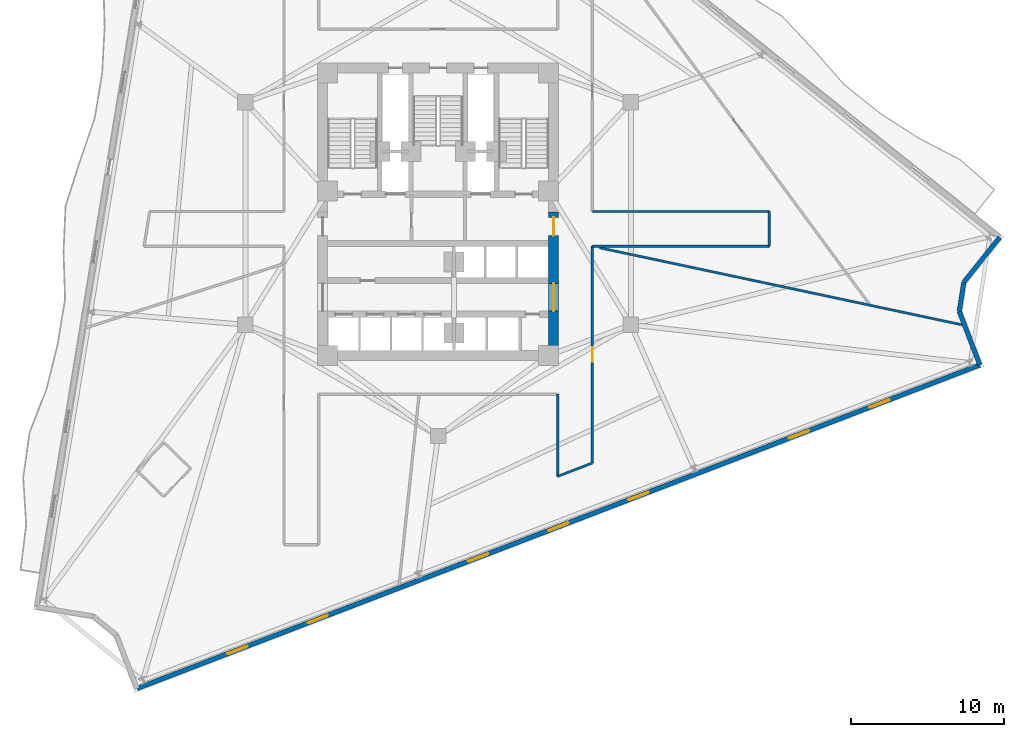
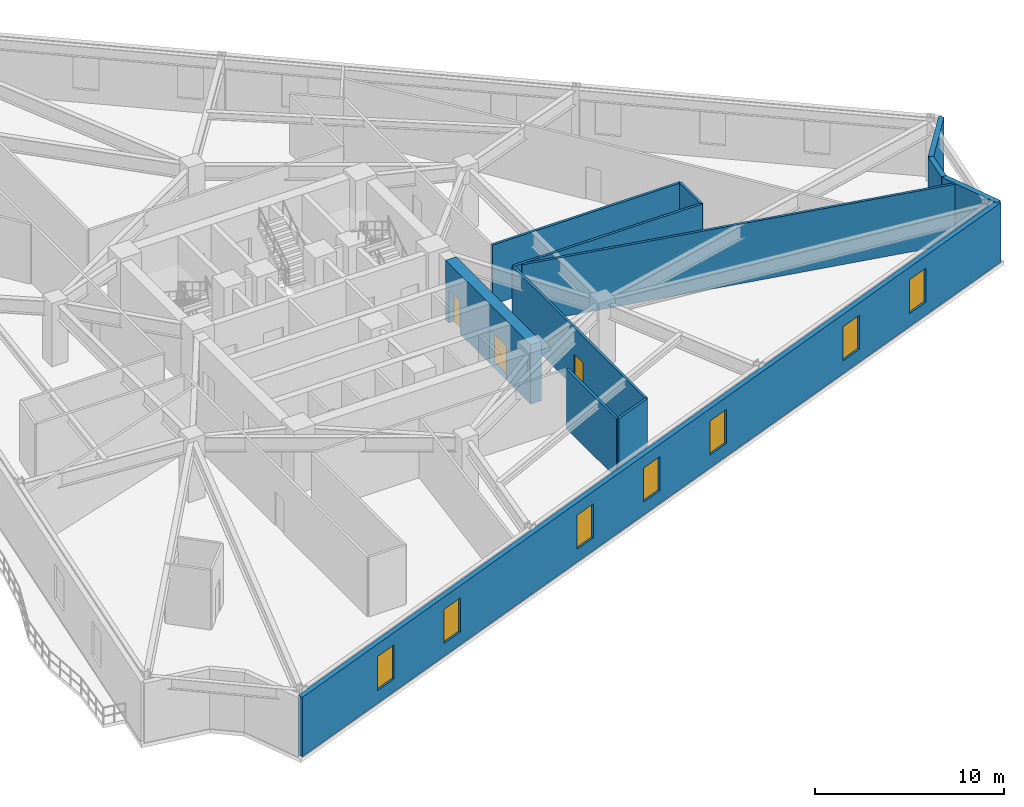
# One storey, part 5 of 10: 12 walls, 7 windows, 3 doors, 10 openings.
"""IFC4 building model written with IfcOpenShell, lengths in metres."""

from ifc_helpers import new_model, si_unit, direction, frame, frame_2d, origin, place, context, subcontext, project, spatial, rectangle, extrude, material, layer, layer_set, type_object, element, fill, save


model = new_model("IFC4")

# Units and contexts
model_context = context("Model", 3, precision=1e-05, world=origin(), true_north=direction((0.0, 1.0)))
body_context = subcontext(model_context, "Body", "Model", "MODEL_VIEW")
ifc_project = project(units=[si_unit("LENGTHUNIT", "METRE"), si_unit("AREAUNIT", "SQUARE_METRE"), si_unit("VOLUMEUNIT", "CUBIC_METRE"), si_unit("PLANEANGLEUNIT", "RADIAN"), si_unit("MASSUNIT", "GRAM", prefix="KILO")], contexts=[model_context])

# Site, building, storey
site_placement = place(None, origin())
site = spatial("IfcSite", under=ifc_project, at=site_placement, CompositionType="ELEMENT")
building_placement = place(site_placement, origin())
building = spatial("IfcBuilding", under=site, at=building_placement, Name="Apsidion Concourse Tower", CompositionType="ELEMENT")
storey_placement = place(building_placement, frame((0.0, 0.0, 152.699951171875)))
storey = spatial("IfcBuildingStorey", under=building, at=storey_placement, Name="L35", CompositionType="ELEMENT", Elevation=152.699951171875)

# Walls
ifc_material_1 = material(Name="Precast concrete C40/50", Category="concrete")
ifc_layer_1 = layer(ifc_material_1, 0.300048828125)
ifc_layer_set_1 = layer_set([ifc_layer_1], Name="Precast concrete C40/50")
wall_type_1 = type_object("IfcWallType", Name="WL-EXT-300", PredefinedType="STANDARD", material=ifc_layer_set_1)
wall_1_placement = place(storey_placement, frame((36.58984375, -1.556640625, 0.0), z_axis=(0.0, 0.0, 1.0), x_axis=(-0.62493402561, -0.780677567012, 0.0)))
element("IfcWall", 1, at=wall_1_placement, inside=storey, type_object=wall_type_1, Name="L35 Precast Stone Facade Wall 02", PredefinedType="STANDARD", context=body_context, shape_type="SweptSolid", body=[
    extrude(rectangle(XDim=3.737060546875, YDim=0.300048828125, at=frame_2d((1.86865234375, 0.0))), origin(), (0.0, 0.0, 1.0), 3.85009765625),
])
wall_2_placement = place(storey_placement, frame((34.25439453125, -4.47412109375, 0.0), z_axis=(0.0, 0.0, 1.0), x_axis=(-0.153717968475, -0.988114763663, 0.0)))
element("IfcWall", 2, at=wall_2_placement, inside=storey, type_object=wall_type_1, Name="L35 Precast Stone Facade Wall 03", PredefinedType="STANDARD", context=body_context, shape_type="SweptSolid", body=[
    extrude(rectangle(XDim=1.932861328125, YDim=0.300048828125, at=frame_2d((0.96630859375, 0.0))), origin(), (0.0, 0.0, 1.0), 3.85009765625),
])
wall_3_placement = place(storey_placement, frame((33.957275390625, -6.384033203125, 0.0), z_axis=(0.0, 0.0, 1.0), x_axis=(0.358344201462, -0.933589542186, 0.0)))
element("IfcWall", 3, at=wall_3_placement, inside=storey, type_object=wall_type_1, Name="L35 Precast Stone Facade Wall 04", PredefinedType="STANDARD", context=body_context, shape_type="SweptSolid", body=[
    extrude(rectangle(XDim=3.737060546875, YDim=0.300048828125, at=frame_2d((1.86865234375, 0.0))), origin(), (0.0, 0.0, 1.0), 3.85009765625),
])

# Wall, openings, windows
wall_4_placement = place(storey_placement, frame((35.29638671875, -9.872802734375, 0.0), z_axis=(0.0, 0.0, 1.0), x_axis=(-0.933580612554, -0.35836746485, 0.0)))
wall_4 = element("IfcWall", 4, at=wall_4_placement, inside=storey, type_object=wall_type_1, Name="L35 Precast Stone Facade Wall 05", PredefinedType="STANDARD", context=body_context, shape_type="SweptSolid", body=[
    extrude(rectangle(XDim=58.827880859375, YDim=0.300048828125, at=frame_2d((29.4140625, 0.0))), origin(), (0.0, 0.0, 1.0), 3.85009765625),
])
opening_1_placement = place(wall_4_placement, frame((6.31396484375, 0.0, 0.85009765625)))
opening_1 = element("IfcOpeningElement", 5, at=opening_1_placement, cuts=wall_4, Name="Opening WN-05", PredefinedType="OPENING", context=body_context, shape_type="SweptSolid", body=[
    extrude(rectangle(XDim=1.39990234375, YDim=2.199951171875, at=frame_2d((0.699951171875, 1.10009765625))), frame((0.0, 0.16015625, 0.0), z_axis=(0.0, -1.0, 0.0), x_axis=(1.0, 0.0, 0.0)), (0.0, 0.0, 1.0), 0.320068359375),
])
opening_2_placement = place(wall_4_placement, frame((11.9140625, 0.0, 0.85009765625)))
opening_2 = element("IfcOpeningElement", 6, at=opening_2_placement, cuts=wall_4, Name="Opening WN-05", PredefinedType="OPENING", context=body_context, shape_type="SweptSolid", body=[
    extrude(rectangle(XDim=1.39990234375, YDim=2.199951171875, at=frame_2d((0.699951171875, 1.10009765625))), frame((0.0, 0.16015625, 0.0), z_axis=(0.0, -1.0, 0.0), x_axis=(1.0, 0.0, 0.0)), (0.0, 0.0, 1.0), 0.320068359375),
])
opening_3_placement = place(wall_4_placement, frame((23.114013671875, 0.0, 0.85009765625)))
opening_3 = element("IfcOpeningElement", 7, at=opening_3_placement, cuts=wall_4, Name="Opening WN-05", PredefinedType="OPENING", context=body_context, shape_type="SweptSolid", body=[
    extrude(rectangle(XDim=1.39990234375, YDim=2.199951171875, at=frame_2d((0.699951171875, 1.10009765625))), frame((0.0, 0.16015625, 0.0), z_axis=(0.0, -1.0, 0.0), x_axis=(1.0, 0.0, 0.0)), (0.0, 0.0, 1.0), 0.320068359375),
])
opening_4_placement = place(wall_4_placement, frame((28.714111328125, 0.0, 0.85009765625)))
opening_4 = element("IfcOpeningElement", 8, at=opening_4_placement, cuts=wall_4, Name="Opening WN-05", PredefinedType="OPENING", context=body_context, shape_type="SweptSolid", body=[
    extrude(rectangle(XDim=1.39990234375, YDim=2.199951171875, at=frame_2d((0.699951171875, 1.10009765625))), frame((0.0, 0.16015625, 0.0), z_axis=(0.0, -1.0, 0.0), x_axis=(1.0, 0.0, 0.0)), (0.0, 0.0, 1.0), 0.320068359375),
])
opening_5_placement = place(wall_4_placement, frame((34.31396484375, 0.0, 0.85009765625)))
opening_5 = element("IfcOpeningElement", 9, at=opening_5_placement, cuts=wall_4, Name="Opening WN-05", PredefinedType="OPENING", context=body_context, shape_type="SweptSolid", body=[
    extrude(rectangle(XDim=1.39990234375, YDim=2.199951171875, at=frame_2d((0.699951171875, 1.10009765625))), frame((0.0, 0.16015625, 0.0), z_axis=(0.0, -1.0, 0.0), x_axis=(1.0, 0.0, 0.0)), (0.0, 0.0, 1.0), 0.320068359375),
])
opening_6_placement = place(wall_4_placement, frame((45.513916015625, 0.0, 0.85009765625)))
opening_6 = element("IfcOpeningElement", 10, at=opening_6_placement, cuts=wall_4, Name="Opening WN-05", PredefinedType="OPENING", context=body_context, shape_type="SweptSolid", body=[
    extrude(rectangle(XDim=1.39990234375, YDim=2.199951171875, at=frame_2d((0.699951171875, 1.10009765625))), frame((0.0, 0.16015625, 0.0), z_axis=(0.0, -1.0, 0.0), x_axis=(1.0, 0.0, 0.0)), (0.0, 0.0, 1.0), 0.320068359375),
])
opening_7_placement = place(wall_4_placement, frame((51.114013671875, 0.0, 0.85009765625)))
opening_7 = element("IfcOpeningElement", 11, at=opening_7_placement, cuts=wall_4, Name="Opening WN-05", PredefinedType="OPENING", context=body_context, shape_type="SweptSolid", body=[
    extrude(rectangle(XDim=1.39990234375, YDim=2.199951171875, at=frame_2d((0.699951171875, 1.10009765625))), frame((0.0, 0.16015625, 0.0), z_axis=(0.0, -1.0, 0.0), x_axis=(1.0, 0.0, 0.0)), (0.0, 0.0, 1.0), 0.320068359375),
])
ifc_material_2 = material(Name="Insulated laminated low-E glass", Category="glass")
window_type = type_object("IfcWindowType", Name="WN-OFF-1424", PartitioningType="SINGLE_PANEL", PredefinedType="WINDOW", material=ifc_material_2)
window_1_placement = place(opening_1_placement, origin())
window_1 = element("IfcWindow", 12, at=window_1_placement, inside=storey, type_object=window_type, Name="L35 Punched Facade Window 5-01", OverallHeight=2.199951171875, OverallWidth=1.39990234375, PartitioningType="SINGLE_PANEL", PredefinedType="WINDOW", context=body_context, shape_type="SweptSolid", body=[
    extrude(rectangle(XDim=1.39990234375, YDim=2.199951171875, at=frame_2d((0.699951171875, 1.10009765625))), frame((0.0, 0.030029296875, 0.0), z_axis=(0.0, -1.0, 0.0), x_axis=(1.0, 0.0, 0.0)), (0.0, 0.0, 1.0), 0.06005859375),
])
fill(opening_1, window_1)
window_2_placement = place(opening_2_placement, origin())
window_2 = element("IfcWindow", 13, at=window_2_placement, inside=storey, type_object=window_type, Name="L35 Punched Facade Window 5-02", OverallHeight=2.199951171875, OverallWidth=1.39990234375, PartitioningType="SINGLE_PANEL", PredefinedType="WINDOW", context=body_context, shape_type="SweptSolid", body=[
    extrude(rectangle(XDim=1.39990234375, YDim=2.199951171875, at=frame_2d((0.699951171875, 1.10009765625))), frame((0.0, 0.030029296875, 0.0), z_axis=(0.0, -1.0, 0.0), x_axis=(1.0, 0.0, 0.0)), (0.0, 0.0, 1.0), 0.06005859375),
])
fill(opening_2, window_2)
window_3_placement = place(opening_3_placement, origin())
window_3 = element("IfcWindow", 14, at=window_3_placement, inside=storey, type_object=window_type, Name="L35 Punched Facade Window 5-04", OverallHeight=2.199951171875, OverallWidth=1.39990234375, PartitioningType="SINGLE_PANEL", PredefinedType="WINDOW", context=body_context, shape_type="SweptSolid", body=[
    extrude(rectangle(XDim=1.39990234375, YDim=2.199951171875, at=frame_2d((0.699951171875, 1.10009765625))), frame((0.0, 0.030029296875, 0.0), z_axis=(0.0, -1.0, 0.0), x_axis=(1.0, 0.0, 0.0)), (0.0, 0.0, 1.0), 0.06005859375),
])
fill(opening_3, window_3)
window_4_placement = place(opening_4_placement, origin())
window_4 = element("IfcWindow", 15, at=window_4_placement, inside=storey, type_object=window_type, Name="L35 Punched Facade Window 5-05", OverallHeight=2.199951171875, OverallWidth=1.39990234375, PartitioningType="SINGLE_PANEL", PredefinedType="WINDOW", context=body_context, shape_type="SweptSolid", body=[
    extrude(rectangle(XDim=1.39990234375, YDim=2.199951171875, at=frame_2d((0.699951171875, 1.10009765625))), frame((0.0, 0.030029296875, 0.0), z_axis=(0.0, -1.0, 0.0), x_axis=(1.0, 0.0, 0.0)), (0.0, 0.0, 1.0), 0.06005859375),
])
fill(opening_4, window_4)
window_5_placement = place(opening_5_placement, origin())
window_5 = element("IfcWindow", 16, at=window_5_placement, inside=storey, type_object=window_type, Name="L35 Punched Facade Window 5-06", OverallHeight=2.199951171875, OverallWidth=1.39990234375, PartitioningType="SINGLE_PANEL", PredefinedType="WINDOW", context=body_context, shape_type="SweptSolid", body=[
    extrude(rectangle(XDim=1.39990234375, YDim=2.199951171875, at=frame_2d((0.699951171875, 1.10009765625))), frame((0.0, 0.030029296875, 0.0), z_axis=(0.0, -1.0, 0.0), x_axis=(1.0, 0.0, 0.0)), (0.0, 0.0, 1.0), 0.06005859375),
])
fill(opening_5, window_5)
window_6_placement = place(opening_6_placement, origin())
window_6 = element("IfcWindow", 17, at=window_6_placement, inside=storey, type_object=window_type, Name="L35 Punched Facade Window 5-08", OverallHeight=2.199951171875, OverallWidth=1.39990234375, PartitioningType="SINGLE_PANEL", PredefinedType="WINDOW", context=body_context, shape_type="SweptSolid", body=[
    extrude(rectangle(XDim=1.39990234375, YDim=2.199951171875, at=frame_2d((0.699951171875, 1.10009765625))), frame((0.0, 0.030029296875, 0.0), z_axis=(0.0, -1.0, 0.0), x_axis=(1.0, 0.0, 0.0)), (0.0, 0.0, 1.0), 0.06005859375),
])
fill(opening_6, window_6)
window_7_placement = place(opening_7_placement, origin())
window_7 = element("IfcWindow", 18, at=window_7_placement, inside=storey, type_object=window_type, Name="L35 Punched Facade Window 5-09", OverallHeight=2.199951171875, OverallWidth=1.39990234375, PartitioningType="SINGLE_PANEL", PredefinedType="WINDOW", context=body_context, shape_type="SweptSolid", body=[
    extrude(rectangle(XDim=1.39990234375, YDim=2.199951171875, at=frame_2d((0.699951171875, 1.10009765625))), frame((0.0, 0.030029296875, 0.0), z_axis=(0.0, -1.0, 0.0), x_axis=(1.0, 0.0, 0.0)), (0.0, 0.0, 1.0), 0.06005859375),
])
fill(opening_7, window_7)

# Walls
ifc_material_3 = material(Name="Gypsum plasterboard partition")
ifc_layer_2 = layer(ifc_material_3, 0.14990234375)
ifc_layer_set_2 = layer_set([ifc_layer_2], Name="Gypsum plasterboard partition")
wall_type_2 = type_object("IfcWallType", Name="WL-INT-PAR-150", PredefinedType="PARTITIONING", material=ifc_layer_set_2)
wall_5_placement = place(storey_placement, frame((10.050048828125, -16.259521484375, 0.0), z_axis=(0.0, 0.0, 1.0), x_axis=(-0.933561171802, -0.358418105713, 0.0)))
element("IfcWall", 19, at=wall_5_placement, inside=storey, type_object=wall_type_2, Name="L35 Interior Partition WL-L35-CORR-01", PredefinedType="PARTITIONING", context=body_context, shape_type="SweptSolid", body=[
    extrude(rectangle(XDim=2.4208984375, YDim=0.14990234375, at=frame_2d((1.21044921875, 0.0))), origin(), (0.0, 0.0, 1.0), 3.85009765625),
])
wall_6_placement = place(storey_placement, frame((7.7900390625, -17.127197265625, 0.0), z_axis=(0.0, 0.0, 1.0), x_axis=(0.0, 1.0, 0.0)))
element("IfcWall", 20, at=wall_6_placement, inside=storey, type_object=wall_type_2, Name="L35 Interior Partition WL-L35-CORR-02", PredefinedType="PARTITIONING", context=body_context, shape_type="SweptSolid", body=[
    extrude(rectangle(XDim=5.352294921875, YDim=0.14990234375, at=frame_2d((2.67626953125, 0.0))), origin(), (0.0, 0.0, 1.0), 3.85009765625),
])
wall_7_placement = place(storey_placement, frame((10.050048828125, 0.1298828125, 0.0), z_axis=(0.0, 0.0, 1.0), x_axis=(1.0, 0.0, 0.0)))
element("IfcWall", 21, at=wall_7_placement, inside=storey, type_object=wall_type_2, Name="L35 Interior Partition WL-L35-CORR-17", PredefinedType="PARTITIONING", context=body_context, shape_type="SweptSolid", body=[
    extrude(rectangle(XDim=11.530029296875, YDim=0.14990234375, at=frame_2d((5.76513671875, 0.0))), origin(), (0.0, 0.0, 1.0), 3.85009765625),
])
wall_8_placement = place(storey_placement, frame((21.580078125, 0.1298828125, 0.0), z_axis=(0.0, 0.0, 1.0), x_axis=(0.0, -1.0, 0.0)))
element("IfcWall", 22, at=wall_8_placement, inside=storey, type_object=wall_type_2, Name="L35 Interior Partition WL-L35-CORR-18", PredefinedType="PARTITIONING", context=body_context, shape_type="SweptSolid", body=[
    extrude(rectangle(XDim=2.259765625, YDim=0.14990234375, at=frame_2d((1.1298828125, 0.0))), origin(), (0.0, 0.0, 1.0), 3.85009765625),
])
wall_9_placement = place(storey_placement, frame((21.580078125, -2.1298828125, 0.0), z_axis=(0.0, 0.0, 1.0), x_axis=(-1.0, 0.0, 0.0)))
element("IfcWall", 23, at=wall_9_placement, inside=storey, type_object=wall_type_2, Name="L35 Interior Partition WL-L35-CORR-19", PredefinedType="PARTITIONING", context=body_context, shape_type="SweptSolid", body=[
    extrude(rectangle(XDim=11.530029296875, YDim=0.14990234375, at=frame_2d((5.76513671875, 0.0))), origin(), (0.0, 0.0, 1.0), 3.85009765625),
])

# Wall, opening, door
wall_10_placement = place(storey_placement, frame((10.050048828125, -2.1298828125, 0.0), z_axis=(0.0, 0.0, 1.0), x_axis=(0.0, -1.0, 0.0)))
wall_10 = element("IfcWall", 24, at=wall_10_placement, inside=storey, type_object=wall_type_2, Name="L35 Interior Partition WL-L35-CORR-20", PredefinedType="PARTITIONING", context=body_context, shape_type="SweptSolid", body=[
    extrude(rectangle(XDim=14.129638671875, YDim=0.14990234375, at=frame_2d((7.06494140625, 0.0))), origin(), (0.0, 0.0, 1.0), 3.85009765625),
])
opening_8_placement = place(wall_10_placement, frame((6.58984375, 0.0, 0.0)))
opening_8 = element("IfcOpeningElement", 25, at=opening_8_placement, cuts=wall_10, Name="Opening D-01R", PredefinedType="OPENING", context=body_context, shape_type="SweptSolid", body=[
    extrude(rectangle(XDim=0.949951171875, YDim=2.14990234375, at=frame_2d((0.47509765625, 1.074951171875))), frame((0.0, 0.0849609375, 0.0), z_axis=(0.0, -1.0, 0.0), x_axis=(1.0, 0.0, 0.0)), (0.0, 0.0, 1.0), 0.169921875),
])
ifc_material_4 = material(Name="Brushed stainless steel 316", Category="steel")
door_type_1 = type_object("IfcDoorType", Name="DR-INT-D01R", OperationType="SINGLE_SWING_RIGHT", PredefinedType="DOOR", material=ifc_material_4)
door_1_placement = place(opening_8_placement, origin())
door_1 = element("IfcDoor", 26, at=door_1_placement, inside=storey, type_object=door_type_1, Name="L35 Corridor Entry Door 02", OperationType="SINGLE_SWING_RIGHT", OverallHeight=2.14990234375, OverallWidth=0.949951171875, PredefinedType="DOOR", context=body_context, shape_type="SweptSolid", body=[
    extrude(rectangle(XDim=0.949951171875, YDim=2.14990234375, at=frame_2d((0.47509765625, 1.074951171875))), frame((0.0, 0.02490234375, 0.0), z_axis=(0.0, -1.0, 0.0), x_axis=(1.0, 0.0, 0.0)), (0.0, 0.0, 1.0), 0.050048828125),
])
fill(opening_8, door_1)

# Wall
wall_11_placement = place(storey_placement, frame((10.514892578125, -2.235107421875, 0.0), z_axis=(0.0, 0.0, 1.0), x_axis=(0.978148639384, -0.207906804293, 0.0)))
element("IfcWall", 27, at=wall_11_placement, inside=storey, type_object=wall_type_2, Name="L35 Interior Partition WL-L35-RAD-05-1", PredefinedType="PARTITIONING", context=body_context, shape_type="SweptSolid", body=[
    extrude(rectangle(XDim=24.12548828125, YDim=0.14990234375, at=frame_2d((12.062744140625, 0.0))), origin(), (0.0, 0.0, 1.0), 3.85009765625),
])

# Wall, openings, doors
ifc_material_5 = material(Name="Concrete C50/60", Category="concrete")
ifc_layer_3 = layer(ifc_material_5, 0.64990234375)
ifc_layer_set_3 = layer_set([ifc_layer_3], Name="Concrete C50/60")
wall_type_3 = type_object("IfcWallType", Name="WL-SH-650", PredefinedType="SHEAR", material=ifc_layer_set_3)
wall_12_placement = place(storey_placement, frame((7.52490234375, -8.925048828125, 0.0), z_axis=(0.0, 0.0, 1.0), x_axis=(0.0, 1.0, 0.0)))
wall_12 = element("IfcWall", 28, at=wall_12_placement, inside=storey, type_object=wall_type_3, Name="L35 Central Core Shear Wall ES", PredefinedType="SHEAR", context=body_context, shape_type="SweptSolid", body=[
    extrude(rectangle(XDim=9.025146484375, YDim=0.64990234375, at=frame_2d((4.5126953125, 0.0))), origin(), (0.0, 0.0, 1.0), 3.85009765625),
])
opening_9_placement = place(wall_12_placement, frame((2.56494140625, 0.0, 0.0)))
opening_9 = element("IfcOpeningElement", 29, at=opening_9_placement, cuts=wall_12, Name="Opening D-06D", PredefinedType="OPENING", context=body_context, shape_type="SweptSolid", body=[
    extrude(rectangle(XDim=1.800048828125, YDim=2.199951171875, at=frame_2d((0.89990234375, 1.10009765625))), frame((0.0, 0.3349609375, 0.0), z_axis=(0.0, -1.0, 0.0), x_axis=(1.0, 0.0, 0.0)), (0.0, 0.0, 1.0), 0.669921875),
])
opening_10_placement = place(wall_12_placement, frame((7.47509765625, 0.0, 0.0)))
opening_10 = element("IfcOpeningElement", 30, at=opening_10_placement, cuts=wall_12, Name="Opening D-FFR", PredefinedType="OPENING", context=body_context, shape_type="SweptSolid", body=[
    extrude(rectangle(XDim=1.199951171875, YDim=2.14990234375, at=frame_2d((0.60009765625, 1.074951171875))), frame((0.0, 0.3349609375, 0.0), z_axis=(0.0, -1.0, 0.0), x_axis=(1.0, 0.0, 0.0)), (0.0, 0.0, 1.0), 0.669921875),
])
door_type_2 = type_object("IfcDoorType", Name="DR-INT-D06D", OperationType="DOUBLE_DOOR_SINGLE_SWING", PredefinedType="DOOR", material=ifc_material_4)
door_2_placement = place(opening_9_placement, origin())
door_2 = element("IfcDoor", 31, at=door_2_placement, inside=storey, type_object=door_type_2, Name="L35 Passenger Lift Lobby ES Portal Door", OperationType="DOUBLE_DOOR_SINGLE_SWING", OverallHeight=2.199951171875, OverallWidth=1.800048828125, PredefinedType="DOOR", context=body_context, shape_type="SweptSolid", body=[
    extrude(rectangle(XDim=1.800048828125, YDim=2.199951171875, at=frame_2d((0.89990234375, 1.10009765625))), frame((0.0, 0.02490234375, 0.0), z_axis=(0.0, -1.0, 0.0), x_axis=(1.0, 0.0, 0.0)), (0.0, 0.0, 1.0), 0.050048828125),
])
fill(opening_9, door_2)
door_type_3 = type_object("IfcDoorType", Name="DR-INT-FFR", OperationType="SINGLE_SWING_RIGHT", PredefinedType="DOOR", material=ifc_material_4)
door_3_placement = place(opening_10_placement, origin())
door_3 = element("IfcDoor", 32, at=door_3_placement, inside=storey, type_object=door_type_3, Name="L35 Firefighting Lift Lobby FF2 Door", OperationType="SINGLE_SWING_RIGHT", OverallHeight=2.14990234375, OverallWidth=1.199951171875, PredefinedType="DOOR", context=body_context, shape_type="SweptSolid", body=[
    extrude(rectangle(XDim=1.199951171875, YDim=2.14990234375, at=frame_2d((0.60009765625, 1.074951171875))), frame((0.0, 0.02490234375, 0.0), z_axis=(0.0, -1.0, 0.0), x_axis=(1.0, 0.0, 0.0)), (0.0, 0.0, 1.0), 0.050048828125),
])
fill(opening_10, door_3)

save(model, "model.ifc")
